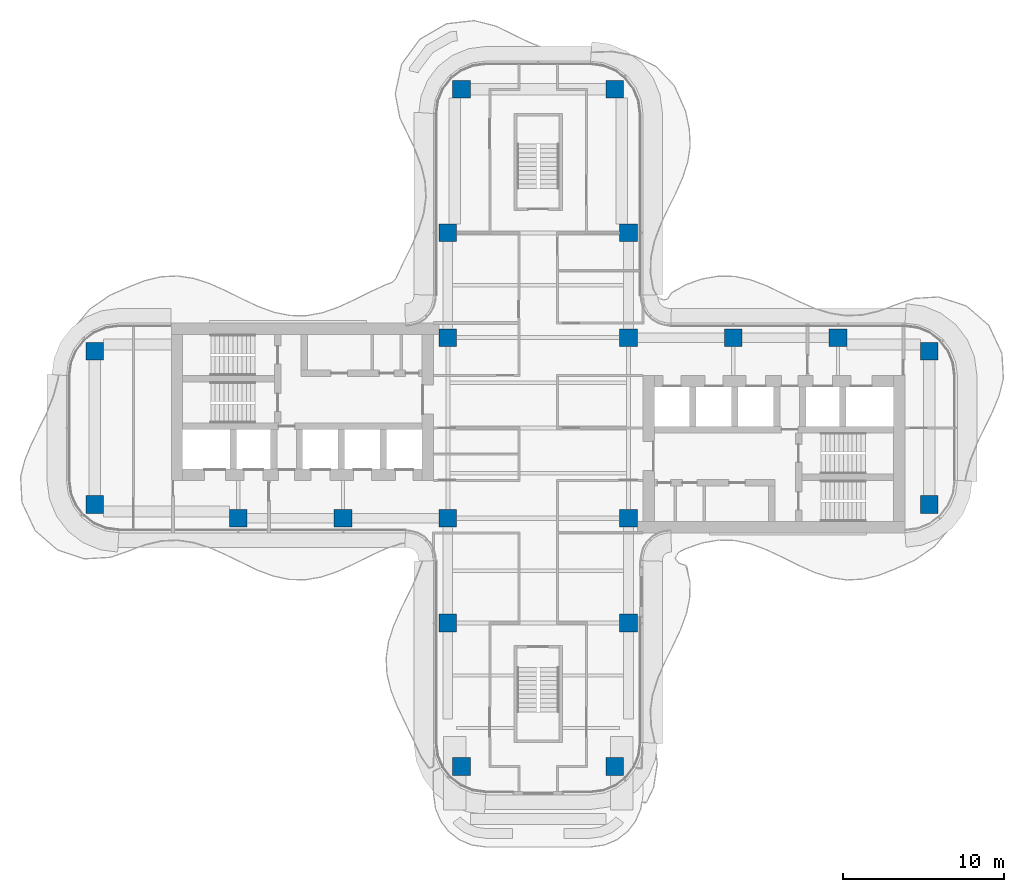
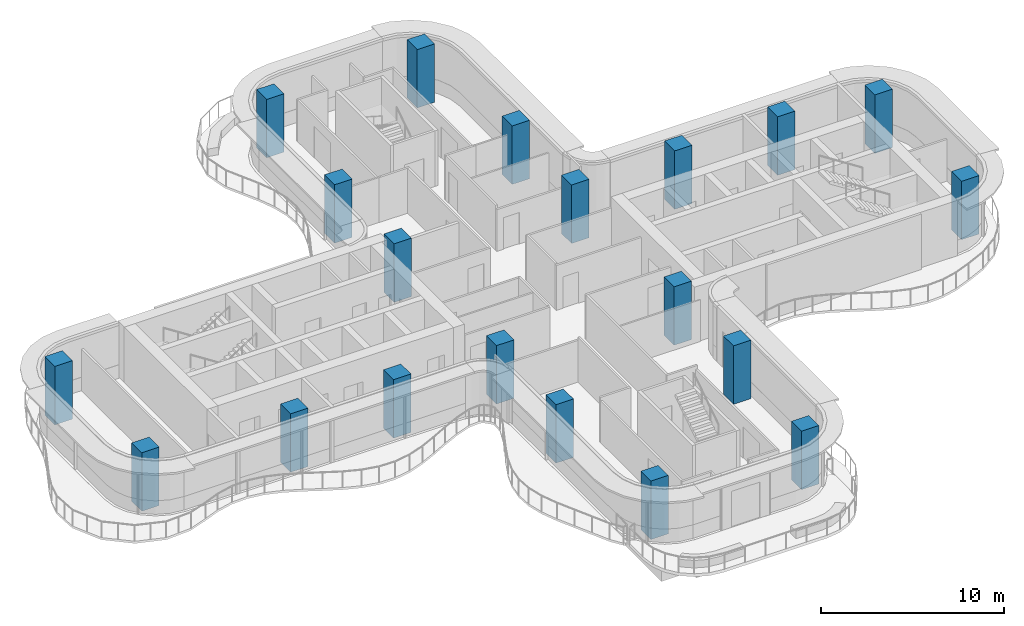
# One storey, part 1 of 17: 20 columns.
"""IFC4 building model written with IfcOpenShell, lengths in metres."""

import ifcopenshell
import ifcopenshell.guid

model = None  # the IFC model being written
_history = None  # IfcOwnerHistory: only IFC2X3 demands one
_inside = {}  # id of a spatial element -> (the spatial element, [elements in it])
_under = {}  # id of a project, library or spatial element -> (it, [spatial elements below it])
_declared = {}  # id of a project -> (the project, [libraries it declares])
_typed = {}  # id of a type object -> (the type object, [elements of that type])
_made_of = {}  # id of a material, layer set ... -> (it, [elements and type objects made of it])


def new_model(schema):
    """Start an empty IFC model of exactly this schema.

    Asked for "IFC4X3", IfcOpenShell would pick the latest addendum, in which some entities
    have other attributes; the version numbers below select the first issue.
    IFC2X3 requires an IfcOwnerHistory on every rooted entity: one is made here for all.
    """
    global model, _history
    if schema == "IFC4X3":
        model = ifcopenshell.file(schema_version=(4, 3, 0, 0))
    else:
        model = ifcopenshell.file(schema=schema)
    _inside.clear()
    _under.clear()
    _declared.clear()
    _typed.clear()
    _made_of.clear()
    _history = None
    if model.schema == "IFC2X3":
        org = make("IfcOrganization", Name="unknown")
        user = make(
            "IfcPersonAndOrganization",
            ThePerson=make("IfcPerson", FamilyName="unknown"),
            TheOrganization=org,
        )
        app = make(
            "IfcApplication",
            ApplicationDeveloper=org,
            Version="unknown",
            ApplicationFullName="unknown",
            ApplicationIdentifier="unknown",
        )
        _history = make(
            "IfcOwnerHistory",
            OwningUser=user,
            OwningApplication=app,
            ChangeAction="ADDED",
            CreationDate=0,
        )
    return model


def make(cls, **values):
    """One entity of the class cls with the attributes given. An attribute that is None is left unset."""
    return model.create_entity(
        cls, **{name: value for name, value in values.items() if value is not None}
    )


def rooted(cls, **values):
    """An entity with a GlobalId (a new one), such as an element, a storey or a relation."""
    return make(cls, GlobalId=ifcopenshell.guid.new(), OwnerHistory=_history, **values)


def si_unit(unit_type, name, prefix=None):
    """IfcSIUnit, for example si_unit("LENGTHUNIT", "METRE", prefix="MILLI")."""
    return make("IfcSIUnit", UnitType=unit_type, Prefix=prefix, Name=name)


def assignment(units):
    """IfcUnitAssignment: the units of a project."""
    return None if units is None else make("IfcUnitAssignment", Units=units)


def point(xyz):
    """IfcCartesianPoint."""
    return None if xyz is None else make("IfcCartesianPoint", Coordinates=xyz)


def direction(xyz):
    """IfcDirection."""
    return None if xyz is None else make("IfcDirection", DirectionRatios=xyz)


def frame(location, z_axis=None, x_axis=None):
    """IfcAxis2Placement3D, a coordinate frame: its origin and axes. An axis left out is left unset."""
    return make(
        "IfcAxis2Placement3D",
        Location=point(location),
        Axis=direction(z_axis),
        RefDirection=direction(x_axis),
    )


def frame_2d(location, x_axis=None):
    """IfcAxis2Placement2D, a coordinate frame in the plane: its origin and x axis."""
    return make(
        "IfcAxis2Placement2D", Location=point(location), RefDirection=direction(x_axis)
    )


def origin():
    """The frame at (0, 0, 0) with its axes left unset."""
    return frame((0.0, 0.0, 0.0))


def origin_2d():
    """The frame at (0, 0) in the plane with its x axis left unset."""
    return frame_2d((0.0, 0.0))


def place(relative_to, where):
    """IfcLocalPlacement: puts the frame where relative to a parent placement (None: the world)."""
    return make(
        "IfcLocalPlacement", PlacementRelTo=relative_to, RelativePlacement=where
    )


def context(
    kind, dimensions, precision=None, world=None, true_north=None, identifier=None
):
    """IfcGeometricRepresentationContext, for example the 3D "Model" context."""
    return make(
        "IfcGeometricRepresentationContext",
        ContextIdentifier=identifier,
        ContextType=kind,
        CoordinateSpaceDimension=dimensions,
        Precision=precision,
        WorldCoordinateSystem=world,
        TrueNorth=true_north,
    )


def subcontext(parent, identifier, kind, view, scale=None):
    """IfcGeometricRepresentationSubContext, for example "Body" below "Model"."""
    return make(
        "IfcGeometricRepresentationSubContext",
        ContextIdentifier=identifier,
        ContextType=kind,
        ParentContext=parent,
        TargetScale=scale,
        TargetView=view,
    )


def project(units=None, contexts=None):
    """IfcProject with its units and contexts."""
    return rooted(
        "IfcProject",
        Name="project",
        RepresentationContexts=contexts,
        UnitsInContext=assignment(units),
    )


def spatial(cls, under=None, at=None, **own):
    """A site, building, storey or space (cls), placed at a placement, below another one or the project."""
    s = rooted(cls, ObjectPlacement=at, **own)
    if under is not None:
        _under.setdefault(under.id(), (under, []))[1].append(s)
    return s


def profile(cls, at=None, kind="AREA", **sizes):
    """A parametric profile (cls). Its sizes go by their IFC names, for example OverallWidth=200.0."""
    return make(cls, ProfileType=kind, Position=at, **sizes)


def rectangle(**sizes):
    """IfcRectangleProfileDef."""
    return profile("IfcRectangleProfileDef", **sizes)


def extrude(swept, where, along, depth):
    """IfcExtrudedAreaSolid: the profile swept, set in the frame where, extruded along a direction by depth."""
    return make(
        "IfcExtrudedAreaSolid",
        SweptArea=swept,
        Position=where,
        ExtrudedDirection=direction(along),
        Depth=depth,
    )


def shape(context_of_items, identifier, shape_type, items):
    """IfcShapeRepresentation: the items that make up one representation, for example the "Body"."""
    return make(
        "IfcShapeRepresentation",
        ContextOfItems=context_of_items,
        RepresentationIdentifier=identifier,
        RepresentationType=shape_type,
        Items=items,
    )


def source(mapping_origin, context_of_items, identifier, shape_type, items):
    """IfcRepresentationMap: a shape defined once, which mapped items show again and again."""
    return make(
        "IfcRepresentationMap",
        MappingOrigin=mapping_origin,
        MappedRepresentation=shape(context_of_items, identifier, shape_type, items),
    )


def transform(
    local_origin,
    x_axis=None,
    y_axis=None,
    z_axis=None,
    scale=None,
    scale2=None,
    scale3=None,
    uniform=True,
):
    """IfcCartesianTransformationOperator3D, or its non-uniform kind. x_axis, y_axis, z_axis: its Axis1, 2, 3."""
    if uniform:
        return make(
            "IfcCartesianTransformationOperator3D",
            Axis1=direction(x_axis),
            Axis2=direction(y_axis),
            LocalOrigin=point(local_origin),
            Scale=scale,
            Axis3=direction(z_axis),
        )
    return make(
        "IfcCartesianTransformationOperator3DnonUniform",
        Axis1=direction(x_axis),
        Axis2=direction(y_axis),
        LocalOrigin=point(local_origin),
        Scale=scale,
        Axis3=direction(z_axis),
        Scale2=scale2,
        Scale3=scale3,
    )


def mapped(mapping_source, mapping_target):
    """IfcMappedItem: shows the shape of a source again, moved by a transform."""
    return make(
        "IfcMappedItem", MappingSource=mapping_source, MappingTarget=mapping_target
    )


def material(Name=None, Category=None):
    """IfcMaterial."""
    return make("IfcMaterial", Name=Name, Category=Category)


def material_profile(
    of_material, cross_section, Name=None, Category=None, Priority=None
):
    """IfcMaterialProfile: a cross section and its material."""
    return make(
        "IfcMaterialProfile",
        Name=Name,
        Material=of_material,
        Profile=cross_section,
        Priority=Priority,
        Category=Category,
    )


def profile_set(profiles, Name=None, composite=None):
    """IfcMaterialProfileSet."""
    return make(
        "IfcMaterialProfileSet",
        Name=Name,
        MaterialProfiles=profiles,
        CompositeProfile=composite,
    )


def made_of(thing, what):
    """Note that an element or type object is made of a material, layer set ...; save() writes the relation."""
    if what is not None:
        _made_of.setdefault(what.id(), (what, []))[1].append(thing)
    return thing


def type_object(cls, material=None, **own):
    """A type object (cls), such as IfcWallType, which elements share."""
    return made_of(rooted(cls, **own), material)


def element(
    cls,
    number,
    at=None,
    inside=None,
    cuts=None,
    type_object=None,
    material=None,
    context=None,
    identifier="Body",
    shape_type=None,
    held_by="IfcProductDefinitionShape",
    body=None,
    shapes=None,
    **own,
):
    """One element of the class cls, such as IfcWall. Its Tag is "e" and its number.

    at: its placement. inside: the storey or other place that contains it. cuts: it is an
    opening in that element (IfcRelVoidsElement). A single representation is given by context,
    identifier, shape_type and body (its items); several are given by shapes. held_by: the class
    of the entity that holds the representations. save() writes the other relations.
    """
    e = rooted(cls, Tag="e%d" % number, ObjectPlacement=at, **own)
    if body is not None:
        shapes = [shape(context, identifier, shape_type, body)]
    if shapes is not None:
        e.Representation = make(held_by, Representations=shapes)
    if inside is not None:
        _inside.setdefault(inside.id(), (inside, []))[1].append(e)
    if cuts is not None:
        rooted(
            "IfcRelVoidsElement", RelatingBuildingElement=cuts, RelatedOpeningElement=e
        )
    if type_object is not None:
        _typed.setdefault(type_object.id(), (type_object, []))[1].append(e)
    return made_of(e, material)


def aggregate(whole, parts):
    """IfcRelAggregates: a whole, such as a stair, and the parts it consists of."""
    return rooted("IfcRelAggregates", RelatingObject=whole, RelatedObjects=parts)


def save(model, path):
    """Write the relations noted so far, then the file.

    IfcRelAggregates (storeys below a building ...), IfcRelContainedInSpatialStructure (elements
    in a storey), IfcRelDefinesByType, IfcRelAssociatesMaterial and IfcRelDeclares: one each for
    every whole, place, type object, material and project.
    """
    for whole, parts in _under.values():
        aggregate(whole, parts)
    for where, things in _inside.values():
        rooted(
            "IfcRelContainedInSpatialStructure",
            RelatedElements=things,
            RelatingStructure=where,
        )
    for kind, things in _typed.values():
        rooted("IfcRelDefinesByType", RelatedObjects=things, RelatingType=kind)
    for what, things in _made_of.values():
        rooted("IfcRelAssociatesMaterial", RelatedObjects=things, RelatingMaterial=what)
    for by, libraries in _declared.values():
        rooted("IfcRelDeclares", RelatingContext=by, RelatedDefinitions=libraries)
    model.write(path)


model = new_model("IFC4")

# Units and contexts
model_context = context("Model", 3, precision=1e-05, world=origin(), true_north=direction((0.0, 1.0)))
body_context = subcontext(model_context, "Body", "Model", "MODEL_VIEW")
ifc_project = project(units=[si_unit("LENGTHUNIT", "METRE"), si_unit("AREAUNIT", "SQUARE_METRE"), si_unit("VOLUMEUNIT", "CUBIC_METRE"), si_unit("PLANEANGLEUNIT", "RADIAN"), si_unit("MASSUNIT", "GRAM", prefix="KILO")], contexts=[model_context])

# Site, building, storey
site_placement = place(None, origin())
site = spatial("IfcSite", under=ifc_project, at=site_placement, CompositionType="ELEMENT")
building_placement = place(site_placement, origin())
building = spatial("IfcBuilding", under=site, at=building_placement, Name="Trellis Farm Tower", CompositionType="ELEMENT")
storey_placement = place(building_placement, frame((0.0, 0.0, 244.10009765625)))
storey = spatial("IfcBuildingStorey", under=building, at=storey_placement, Name="L54", CompositionType="ELEMENT", Elevation=244.10009765625)

# Columns
ifc_material = material(Name="Concrete C60/75", Category="concrete")
ifc_material_profile = material_profile(ifc_material, rectangle(XDim=1.10009765625, YDim=1.10009765625, at=origin_2d()), Name="RC column 1100x1100 C60/75")
ifc_profile_set = profile_set([ifc_material_profile], Name="Concrete C60/75")
column_type = type_object("IfcColumnType", Name="RC column 1100x1100 C60/75", PredefinedType="COLUMN", material=ifc_profile_set)
shared_shape = source(origin(), body_context, "Body", "SweptSolid", [
    extrude(rectangle(XDim=1.10009765625, YDim=1.10009765625, at=origin_2d()), origin(), (0.0, 0.0, 1.0), 3.89990234375),
])
for number, where, z_axis, x_axis, name in (
    (1, (12.10009765625, 5.60009765625, 0.0), (0.0, 0.0, 1.0), (1.0, 0.0, 0.0), "Column"),
    (2, (18.60009765625, 5.60009765625, 0.0), (0.0, 0.0, 1.0), (1.0, 0.0, 0.0), "Column"),
    (3, (24.25, 4.75, 0.0), (0.0, 0.0, 1.0), (1.0, 0.0, 0.0), "Column"),
    (4, (24.25, -4.75, 0.0), (0.0, 0.0, 1.0), (1.0, 0.0, 0.0), "Column"),
    (5, (-5.60009765625, 12.10009765625, 0.0), (0.0, 0.0, 1.0), (1.0, 0.0, 0.0), "Column"),
    (6, (-4.75, 21.0, 0.0), (0.0, 0.0, 1.0), (1.0, 0.0, 0.0), "Column"),
    (7, (5.60009765625, 12.10009765625, 0.0), (0.0, 0.0, 1.0), (1.0, 0.0, 0.0), "Column"),
    (8, (4.75, 21.0, 0.0), (0.0, 0.0, 1.0), (1.0, 0.0, 0.0), "Column"),
    (9, (5.60009765625, 5.60009765625, 0.0), (0.0, 0.0, 1.0), (1.0, 0.0, 0.0), "Column"),
    (10, (-5.60009765625, 5.60009765625, 0.0), (0.0, 0.0, 1.0), (1.0, 0.0, 0.0), "Column"),
    (11, (5.60009765625, -5.60009765625, 0.0), (0.0, 0.0, 1.0), (1.0, 0.0, 0.0), "Column"),
    (12, (-5.60009765625, -5.60009765625, 0.0), (0.0, 0.0, 1.0), (1.0, 0.0, 0.0), "Column"),
    (13, (5.60009765625, -12.10009765625, 0.0), (0.0, 0.0, 1.0), (1.0, 0.0, 0.0), "Column"),
    (14, (4.75, -21.0, 0.0), (0.0, 0.0, 1.0), (1.0, 0.0, 0.0), "Column"),
    (15, (-5.60009765625, -12.10009765625, 0.0), (0.0, 0.0, 1.0), (1.0, 0.0, 0.0), "Column"),
    (16, (-4.75, -21.0, 0.0), (0.0, 0.0, 1.0), (1.0, 0.0, 0.0), "Column"),
    (17, (-12.10009765625, -5.60009765625, 0.0), (0.0, 0.0, 1.0), (1.0, 0.0, 0.0), "Column"),
    (18, (-18.60009765625, -5.60009765625, 0.0), (0.0, 0.0, 1.0), (1.0, 0.0, 0.0), "Column"),
    (19, (-27.5, -4.75, 0.0), (0.0, 0.0, 1.0), (1.0, 0.0, 0.0), "Column"),
    (20, (-27.5, 4.75, 0.0), (0.0, 0.0, 1.0), (1.0, 0.0, 0.0), "Column"),
):
    element("IfcColumn", number, at=place(storey_placement, frame(where, z_axis=z_axis, x_axis=x_axis)), inside=storey, type_object=column_type, Name=name, PredefinedType="COLUMN", context=body_context, shape_type="MappedRepresentation", body=[
        mapped(shared_shape, transform((0.0, 0.0, 0.0))),
    ])

save(model, "model.ifc")
